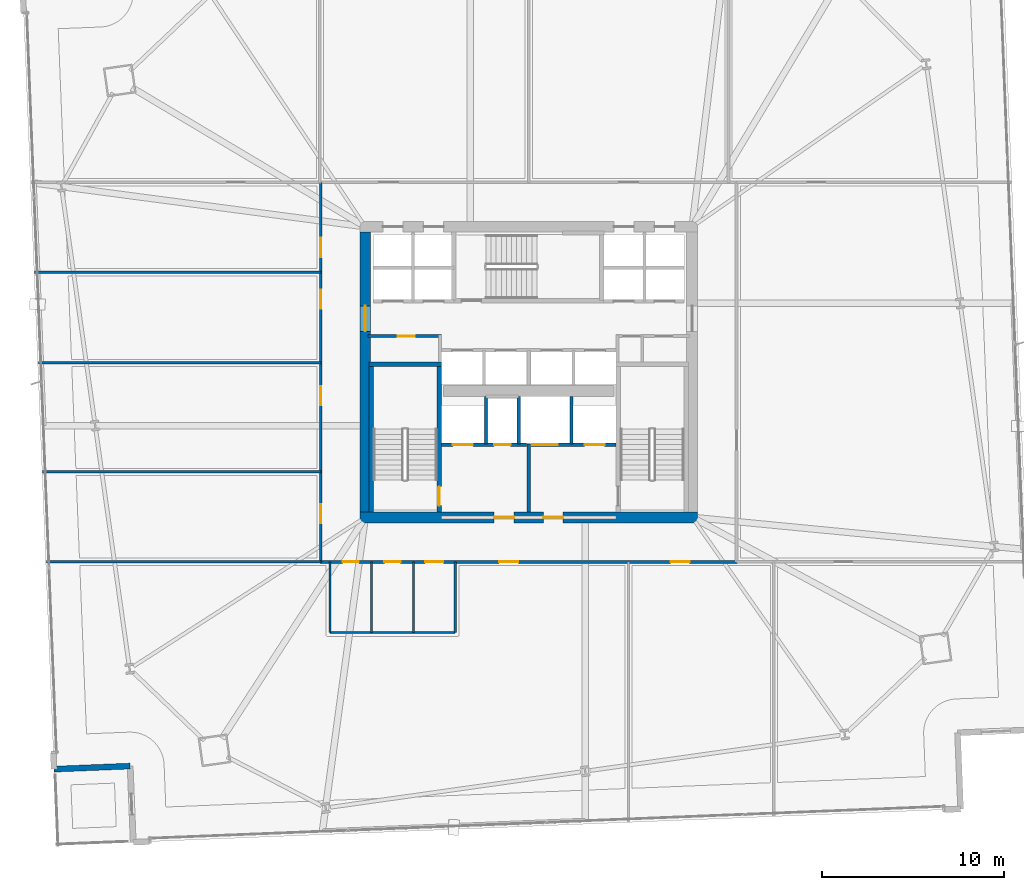
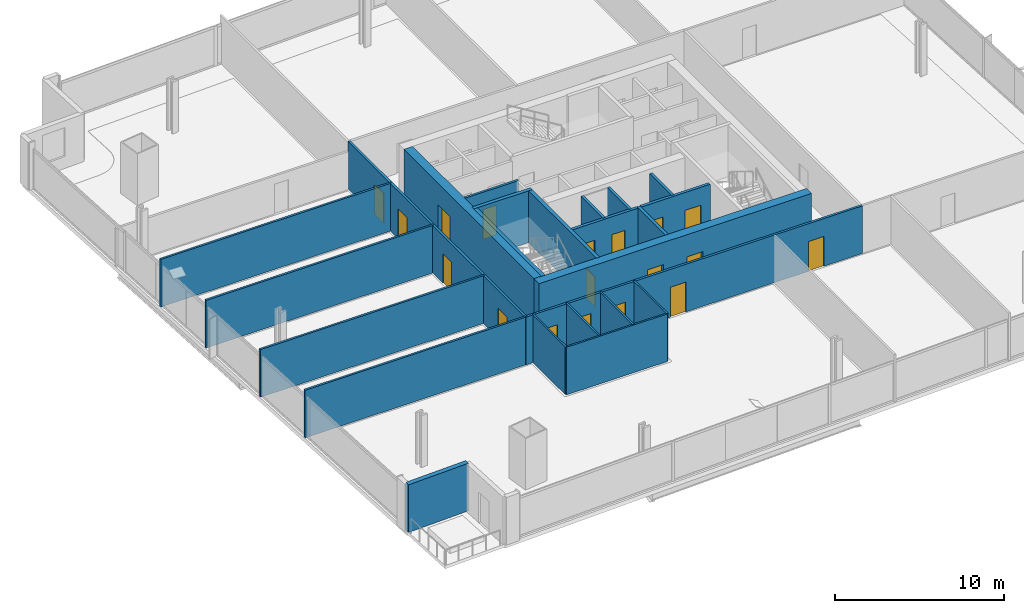
# One storey, part 25 of 32: 24 walls, 18 doors, 18 openings.
"""IFC4 building model written with IfcOpenShell, lengths in metres."""

from ifc_helpers import new_model, si_unit, direction, frame, frame_2d, origin, place, context, subcontext, project, spatial, rectangle, extrude, material, layer, layer_set, type_object, element, fill, save


model = new_model("IFC4")

# Units and contexts
model_context = context("Model", 3, precision=1e-05, world=origin(), true_north=direction((0.0, 1.0)))
body_context = subcontext(model_context, "Body", "Model", "MODEL_VIEW")
ifc_project = project(units=[si_unit("LENGTHUNIT", "METRE"), si_unit("AREAUNIT", "SQUARE_METRE"), si_unit("VOLUMEUNIT", "CUBIC_METRE"), si_unit("PLANEANGLEUNIT", "RADIAN"), si_unit("MASSUNIT", "GRAM", prefix="KILO")], contexts=[model_context])

# Site, building, storey
site_placement = place(None, origin())
site = spatial("IfcSite", under=ifc_project, at=site_placement, CompositionType="ELEMENT")
building_placement = place(site_placement, origin())
building = spatial("IfcBuilding", under=site, at=building_placement, Name="Haldenkirk Collegiate Tower", CompositionType="ELEMENT")
storey_placement = place(building_placement, frame((0.0, 0.0, 36.449951171875)))
storey = spatial("IfcBuildingStorey", under=building, at=storey_placement, Name="L07", CompositionType="ELEMENT", Elevation=36.449951171875)

# Wall, openings, doors
ifc_material_1 = material(Name="Concrete f'c 70 MPa", Category="concrete")
ifc_layer_1 = layer(ifc_material_1, 0.60009765625)
ifc_layer_set_1 = layer_set([ifc_layer_1], Name="Concrete f'c 70 MPa")
wall_type_1 = type_object("IfcWallType", Name="WL-CORE-600", PredefinedType="SHEAR", material=ifc_layer_set_1)
wall_1_placement = place(storey_placement, frame((26.699951171875, 18.0, 0.0), z_axis=(0.0, 0.0, 1.0), x_axis=(1.0, 0.0, 0.0)))
wall_1 = element("IfcWall", 1, at=wall_1_placement, inside=storey, type_object=wall_type_1, Name="L07 central core shear wall S", PredefinedType="SHEAR", context=body_context, shape_type="SweptSolid", body=[
    extrude(rectangle(XDim=18.60009765625, YDim=0.60009765625, at=frame_2d((9.300048828125, 0.0))), origin(), (0.0, 0.0, 1.0), 3.75),
])
opening_1_placement = place(wall_1_placement, frame((7.39990234375, 0.0, 0.0)))
opening_1 = element("IfcOpeningElement", 2, at=opening_1_placement, cuts=wall_1, Name="Opening D-02", PredefinedType="OPENING", context=body_context, shape_type="SweptSolid", body=[
    extrude(rectangle(XDim=1.10009765625, YDim=2.14990234375, at=frame_2d((0.550048828125, 1.074951171875))), frame((0.0, 0.31005859375, 0.0), z_axis=(0.0, -1.0, 0.0), x_axis=(1.0, 0.0, 0.0)), (0.0, 0.0, 1.0), 0.6201171875),
])
opening_2_placement = place(wall_1_placement, frame((10.10009765625, 0.0, 0.0)))
opening_2 = element("IfcOpeningElement", 3, at=opening_2_placement, cuts=wall_1, Name="Opening D-02", PredefinedType="OPENING", context=body_context, shape_type="SweptSolid", body=[
    extrude(rectangle(XDim=1.10009765625, YDim=2.14990234375, at=frame_2d((0.550048828125, 1.074951171875))), frame((0.0, 0.31005859375, 0.0), z_axis=(0.0, -1.0, 0.0), x_axis=(1.0, 0.0, 0.0)), (0.0, 0.0, 1.0), 0.6201171875),
])
ifc_material_2 = material(Name="Galvanized fire-rated hollow steel door", Category="steel")
ifc_layer_2 = layer(ifc_material_2, 0.06005859375)
ifc_layer_set_2 = layer_set([ifc_layer_2], Name="Galvanized fire-rated hollow steel door")
door_type_1 = type_object("IfcDoorType", Name="DR-STAIR-FD90-1100", OperationType="NOTDEFINED", PredefinedType="DOOR", material=ifc_layer_set_2)
door_1_placement = place(opening_1_placement, origin())
door_1 = element("IfcDoor", 4, at=door_1_placement, inside=storey, type_object=door_type_1, Name="L07 Firefighting Lobby 1 door", OperationType="SINGLE_SWING_LEFT", OverallHeight=2.14990234375, OverallWidth=1.10009765625, PredefinedType="DOOR", context=body_context, shape_type="SweptSolid", body=[
    extrude(rectangle(XDim=1.10009765625, YDim=2.14990234375, at=frame_2d((0.550048828125, 1.074951171875))), frame((0.0, 0.02490234375, 0.0), z_axis=(0.0, -1.0, 0.0), x_axis=(1.0, 0.0, 0.0)), (0.0, 0.0, 1.0), 0.050048828125),
])
fill(opening_1, door_1)
door_2_placement = place(opening_2_placement, origin())
door_2 = element("IfcDoor", 5, at=door_2_placement, inside=storey, type_object=door_type_1, Name="L07 Firefighting Lobby 2 door", OperationType="SINGLE_SWING_RIGHT", OverallHeight=2.14990234375, OverallWidth=1.10009765625, PredefinedType="DOOR", context=body_context, shape_type="SweptSolid", body=[
    extrude(rectangle(XDim=1.10009765625, YDim=2.14990234375, at=frame_2d((0.550048828125, 1.074951171875))), frame((0.0, 0.02490234375, 0.0), z_axis=(0.0, -1.0, 0.0), x_axis=(1.0, 0.0, 0.0)), (0.0, 0.0, 1.0), 0.050048828125),
])
fill(opening_2, door_2)

# Wall, opening, door
wall_2_placement = place(storey_placement, frame((27.0, 18.300048828125, 0.0), z_axis=(0.0, 0.0, 1.0), x_axis=(0.0, 1.0, 0.0)))
wall_2 = element("IfcWall", 6, at=wall_2_placement, inside=storey, type_object=wall_type_1, Name="L07 central core shear wall W", PredefinedType="SHEAR", context=body_context, shape_type="SweptSolid", body=[
    extrude(rectangle(XDim=15.39990234375, YDim=0.60009765625, at=frame_2d((7.699951171875, 0.0))), origin(), (0.0, 0.0, 1.0), 3.75),
])
opening_3_placement = place(wall_2_placement, frame((9.93994140625, 0.0, 0.0)))
opening_3 = element("IfcOpeningElement", 7, at=opening_3_placement, cuts=wall_2, Name="Opening D-03", PredefinedType="OPENING", context=body_context, shape_type="SweptSolid", body=[
    extrude(rectangle(XDim=1.39990234375, YDim=2.199951171875, at=frame_2d((0.699951171875, 1.10009765625))), frame((0.0, 0.31005859375, 0.0), z_axis=(0.0, -1.0, 0.0), x_axis=(1.0, 0.0, 0.0)), (0.0, 0.0, 1.0), 0.6201171875),
])
ifc_layer_3 = layer(ifc_material_2, 0.06005859375)
ifc_layer_set_3 = layer_set([ifc_layer_3], Name="Galvanized fire-rated hollow steel door")
door_type_2 = type_object("IfcDoorType", Name="DR-LOBBY-FD90-1400", OperationType="NOTDEFINED", PredefinedType="DOOR", material=ifc_layer_set_3)
door_3_placement = place(opening_3_placement, origin())
door_3 = element("IfcDoor", 8, at=door_3_placement, inside=storey, type_object=door_type_2, Name="L07 west lift lobby portal", OperationType="DOUBLE_DOOR_SINGLE_SWING", OverallHeight=2.199951171875, OverallWidth=1.39990234375, PredefinedType="DOOR", context=body_context, shape_type="SweptSolid", body=[
    extrude(rectangle(XDim=1.39990234375, YDim=2.199951171875, at=frame_2d((0.699951171875, 1.10009765625))), frame((0.0, 0.02490234375, 0.0), z_axis=(0.0, -1.0, 0.0), x_axis=(1.0, 0.0, 0.0)), (0.0, 0.0, 1.0), 0.050048828125),
])
fill(opening_3, door_3)

# Wall
ifc_material_3 = material(Name="Precast concrete f'c 40 MPa", Category="concrete")
ifc_layer_4 = layer(ifc_material_3, 0.320068359375)
ifc_layer_set_4 = layer_set([ifc_layer_4], Name="Precast concrete f'c 40 MPa")
wall_type_2 = type_object("IfcWallType", Name="WL-EXT-TWR-320", PredefinedType="STANDARD", material=ifc_layer_set_4)
wall_3_placement = place(storey_placement, frame((14.052978515625, 4.3017578125, 0.0), z_axis=(0.0, 0.0, 1.0), x_axis=(-0.999195284269, -0.040109648388, 0.0)))
element("IfcWall", 9, at=wall_3_placement, inside=storey, type_object=wall_type_2, Name="L07 bronze precast notch wall 11", PredefinedType="STANDARD", context=body_context, shape_type="SweptSolid", body=[
    extrude(rectangle(XDim=4.199951171875, YDim=0.320068359375, at=frame_2d((2.10009765625, 0.0))), origin(), (0.0, 0.0, 1.0), 3.43994140625),
])

# Wall, opening, door
ifc_material_4 = material(Name="Acoustic fire-rated gypsum partition", Category="concrete")
ifc_layer_5 = layer(ifc_material_4, 0.159912109375)
ifc_layer_set_5 = layer_set([ifc_layer_5], Name="Acoustic fire-rated gypsum partition")
wall_type_3 = type_object("IfcWallType", Name="WL-INT-CORR-160", PredefinedType="PARTITIONING", material=ifc_layer_set_5)
wall_4_placement = place(storey_placement, frame((27.14990234375, 27.97998046875, 0.0), z_axis=(0.0, 0.0, 1.0), x_axis=(1.0, 0.0, 0.0)))
wall_4 = element("IfcWall", 10, at=wall_4_placement, inside=storey, type_object=wall_type_3, Name="L07 interior partition IW-L07-VCSW-N", PredefinedType="PARTITIONING", context=body_context, shape_type="SweptSolid", body=[
    extrude(rectangle(XDim=4.050048828125, YDim=0.159912109375, at=frame_2d((2.02490234375, 0.0))), origin(), (0.0, 0.0, 1.0), 3.43994140625),
])
opening_4_placement = place(wall_4_placement, frame((1.625, 0.0, 0.0)))
opening_4 = element("IfcOpeningElement", 11, at=opening_4_placement, cuts=wall_4, Name="Opening D-10", PredefinedType="OPENING", context=body_context, shape_type="SweptSolid", body=[
    extrude(rectangle(XDim=0.949951171875, YDim=2.14990234375, at=frame_2d((0.47509765625, 1.074951171875))), frame((0.0, 0.08984375, 0.0), z_axis=(0.0, -1.0, 0.0), x_axis=(1.0, 0.0, 0.0)), (0.0, 0.0, 1.0), 0.179931640625),
])
ifc_material_5 = material(Name="Solid-core architectural oak fire door", Category="wood")
ifc_layer_6 = layer(ifc_material_5, 0.06005859375)
ifc_layer_set_6 = layer_set([ifc_layer_6], Name="Solid-core architectural oak fire door")
door_type_3 = type_object("IfcDoorType", Name="DR-INT-FD60-950", OperationType="NOTDEFINED", PredefinedType="DOOR", material=ifc_layer_set_6)
door_4_placement = place(opening_4_placement, origin())
door_4 = element("IfcDoor", 12, at=door_4_placement, inside=storey, type_object=door_type_3, Name="L07 core tea pantry door", OperationType="SINGLE_SWING_LEFT", OverallHeight=2.14990234375, OverallWidth=0.949951171875, PredefinedType="DOOR", context=body_context, shape_type="SweptSolid", body=[
    extrude(rectangle(XDim=0.949951171875, YDim=2.14990234375, at=frame_2d((0.47509765625, 1.074951171875))), frame((0.0, 0.02490234375, 0.0), z_axis=(0.0, -1.0, 0.0), x_axis=(1.0, 0.0, 0.0)), (0.0, 0.0, 1.0), 0.050048828125),
])
fill(opening_4, door_4)

# Wall, openings, doors
wall_5_placement = place(storey_placement, frame((24.5, 15.550048828125, 0.0), z_axis=(0.0, 0.0, 1.0), x_axis=(1.0, 0.0, 0.0)))
wall_5 = element("IfcWall", 13, at=wall_5_placement, inside=storey, type_object=wall_type_3, Name="L07 interior partition IW-L07-CS", PredefinedType="PARTITIONING", context=body_context, shape_type="SweptSolid", body=[
    extrude(rectangle(XDim=23.0, YDim=0.159912109375, at=frame_2d((11.5, 0.0))), origin(), (0.0, 0.0, 1.0), 3.43994140625),
])
opening_5_placement = place(wall_5_placement, frame((1.25, 0.0, 0.0)))
opening_5 = element("IfcOpeningElement", 14, at=opening_5_placement, cuts=wall_5, Name="Opening D-13", PredefinedType="OPENING", context=body_context, shape_type="SweptSolid", body=[
    extrude(rectangle(XDim=0.89990234375, YDim=2.14990234375, at=frame_2d((0.449951171875, 1.074951171875))), frame((0.0, 0.08984375, 0.0), z_axis=(0.0, -1.0, 0.0), x_axis=(1.0, 0.0, 0.0)), (0.0, 0.0, 1.0), 0.179931640625),
])
opening_6_placement = place(wall_5_placement, frame((3.550048828125, 0.0, 0.0)))
opening_6 = element("IfcOpeningElement", 15, at=opening_6_placement, cuts=wall_5, Name="Opening D-13", PredefinedType="OPENING", context=body_context, shape_type="SweptSolid", body=[
    extrude(rectangle(XDim=0.89990234375, YDim=2.14990234375, at=frame_2d((0.449951171875, 1.074951171875))), frame((0.0, 0.08984375, 0.0), z_axis=(0.0, -1.0, 0.0), x_axis=(1.0, 0.0, 0.0)), (0.0, 0.0, 1.0), 0.179931640625),
])
opening_7_placement = place(wall_5_placement, frame((5.800048828125, 0.0, 0.0)))
opening_7 = element("IfcOpeningElement", 16, at=opening_7_placement, cuts=wall_5, Name="Opening D-14", PredefinedType="OPENING", context=body_context, shape_type="SweptSolid", body=[
    extrude(rectangle(XDim=1.0, YDim=2.14990234375, at=frame_2d((0.5, 1.074951171875))), frame((0.0, 0.08984375, 0.0), z_axis=(0.0, -1.0, 0.0), x_axis=(1.0, 0.0, 0.0)), (0.0, 0.0, 1.0), 0.179931640625),
])
opening_8_placement = place(wall_5_placement, frame((9.875, 0.0, 0.0)))
opening_8 = element("IfcOpeningElement", 17, at=opening_8_placement, cuts=wall_5, Name="Opening D-09", PredefinedType="OPENING", context=body_context, shape_type="SweptSolid", body=[
    extrude(rectangle(XDim=1.050048828125, YDim=2.14990234375, at=frame_2d((0.52490234375, 1.074951171875))), frame((0.0, 0.08984375, 0.0), z_axis=(0.0, -1.0, 0.0), x_axis=(1.0, 0.0, 0.0)), (0.0, 0.0, 1.0), 0.179931640625),
])
opening_9_placement = place(wall_5_placement, frame((19.30908203125, 0.0, 0.0)))
opening_9 = element("IfcOpeningElement", 18, at=opening_9_placement, cuts=wall_5, Name="Opening D-09", PredefinedType="OPENING", context=body_context, shape_type="SweptSolid", body=[
    extrude(rectangle(XDim=1.050048828125, YDim=2.14990234375, at=frame_2d((0.52490234375, 1.074951171875))), frame((0.0, 0.08984375, 0.0), z_axis=(0.0, -1.0, 0.0), x_axis=(1.0, 0.0, 0.0)), (0.0, 0.0, 1.0), 0.179931640625),
])
ifc_layer_7 = layer(ifc_material_5, 0.06005859375)
ifc_layer_set_7 = layer_set([ifc_layer_7], Name="Solid-core architectural oak fire door")
door_type_4 = type_object("IfcDoorType", Name="DR-INT-ACC-1000", OperationType="NOTDEFINED", PredefinedType="DOOR", material=ifc_layer_set_7)
door_5_placement = place(opening_7_placement, origin())
door_5 = element("IfcDoor", 19, at=door_5_placement, inside=storey, type_object=door_type_4, Name="L07 Accessible WC door", OperationType="SINGLE_SWING_RIGHT", OverallHeight=2.14990234375, OverallWidth=1.0, PredefinedType="DOOR", context=body_context, shape_type="SweptSolid", body=[
    extrude(rectangle(XDim=1.0, YDim=2.14990234375, at=frame_2d((0.5, 1.074951171875))), frame((0.0, 0.02490234375, 0.0), z_axis=(0.0, -1.0, 0.0), x_axis=(1.0, 0.0, 0.0)), (0.0, 0.0, 1.0), 0.050048828125),
])
fill(opening_7, door_5)
ifc_layer_8 = layer(ifc_material_5, 0.06005859375)
ifc_layer_set_8 = layer_set([ifc_layer_8], Name="Solid-core architectural oak fire door")
door_type_5 = type_object("IfcDoorType", Name="DR-INT-FD60-1050", OperationType="NOTDEFINED", PredefinedType="DOOR", material=ifc_layer_set_8)
door_6_placement = place(opening_8_placement, origin())
door_6 = element("IfcDoor", 20, at=door_6_placement, inside=storey, type_object=door_type_5, Name="L07 Graduate Seminar Room 1 door", OperationType="SINGLE_SWING_LEFT", OverallHeight=2.14990234375, OverallWidth=1.050048828125, PredefinedType="DOOR", context=body_context, shape_type="SweptSolid", body=[
    extrude(rectangle(XDim=1.050048828125, YDim=2.14990234375, at=frame_2d((0.52490234375, 1.074951171875))), frame((0.0, 0.02490234375, 0.0), z_axis=(0.0, -1.0, 0.0), x_axis=(1.0, 0.0, 0.0)), (0.0, 0.0, 1.0), 0.050048828125),
])
fill(opening_8, door_6)
door_7_placement = place(opening_9_placement, origin())
door_7 = element("IfcDoor", 21, at=door_7_placement, inside=storey, type_object=door_type_5, Name="L07 Colloquium Conference Room 2 door", OperationType="SINGLE_SWING_RIGHT", OverallHeight=2.14990234375, OverallWidth=1.050048828125, PredefinedType="DOOR", context=body_context, shape_type="SweptSolid", body=[
    extrude(rectangle(XDim=1.050048828125, YDim=2.14990234375, at=frame_2d((0.52490234375, 1.074951171875))), frame((0.0, 0.02490234375, 0.0), z_axis=(0.0, -1.0, 0.0), x_axis=(1.0, 0.0, 0.0)), (0.0, 0.0, 1.0), 0.050048828125),
])
fill(opening_9, door_7)
ifc_layer_9 = layer(ifc_material_5, 0.06005859375)
ifc_layer_set_9 = layer_set([ifc_layer_9], Name="Solid-core architectural oak fire door")
door_type_6 = type_object("IfcDoorType", Name="DR-INT-STD-900", OperationType="NOTDEFINED", PredefinedType="DOOR", material=ifc_layer_set_9)
door_8_placement = place(opening_5_placement, origin())
door_8 = element("IfcDoor", 22, at=door_8_placement, inside=storey, type_object=door_type_6, Name="L07 Male WC door", OperationType="SINGLE_SWING_RIGHT", OverallHeight=2.14990234375, OverallWidth=0.89990234375, PredefinedType="DOOR", context=body_context, shape_type="SweptSolid", body=[
    extrude(rectangle(XDim=0.89990234375, YDim=2.14990234375, at=frame_2d((0.449951171875, 1.074951171875))), frame((0.0, 0.02490234375, 0.0), z_axis=(0.0, -1.0, 0.0), x_axis=(1.0, 0.0, 0.0)), (0.0, 0.0, 1.0), 0.050048828125),
])
fill(opening_5, door_8)
door_9_placement = place(opening_6_placement, origin())
door_9 = element("IfcDoor", 23, at=door_9_placement, inside=storey, type_object=door_type_6, Name="L07 Female WC door", OperationType="SINGLE_SWING_LEFT", OverallHeight=2.14990234375, OverallWidth=0.89990234375, PredefinedType="DOOR", context=body_context, shape_type="SweptSolid", body=[
    extrude(rectangle(XDim=0.89990234375, YDim=2.14990234375, at=frame_2d((0.449951171875, 1.074951171875))), frame((0.0, 0.02490234375, 0.0), z_axis=(0.0, -1.0, 0.0), x_axis=(1.0, 0.0, 0.0)), (0.0, 0.0, 1.0), 0.050048828125),
])
fill(opening_6, door_9)

wall_6_placement = place(storey_placement, frame((24.550048828125, 15.550048828125, 0.0), z_axis=(0.0, 0.0, 1.0), x_axis=(0.0, 1.0, 0.0)))
wall_6 = element("IfcWall", 24, at=wall_6_placement, inside=storey, type_object=wall_type_3, Name="L07 interior partition IW-L07-CW", PredefinedType="PARTITIONING", context=body_context, shape_type="SweptSolid", body=[
    extrude(rectangle(XDim=20.89990234375, YDim=0.159912109375, at=frame_2d((10.449951171875, 0.0))), origin(), (0.0, 0.0, 1.0), 3.43994140625),
])
opening_10_placement = place(wall_6_placement, frame((2.115966796875, 0.0, 0.0)))
opening_10 = element("IfcOpeningElement", 25, at=opening_10_placement, cuts=wall_6, Name="Opening D-09", PredefinedType="OPENING", context=body_context, shape_type="SweptSolid", body=[
    extrude(rectangle(XDim=1.050048828125, YDim=2.14990234375, at=frame_2d((0.52490234375, 1.074951171875))), frame((0.0, 0.08984375, 0.0), z_axis=(0.0, -1.0, 0.0), x_axis=(1.0, 0.0, 0.0)), (0.0, 0.0, 1.0), 0.179931640625),
])
opening_11_placement = place(wall_6_placement, frame((8.625, 0.0, 0.0)))
opening_11 = element("IfcOpeningElement", 26, at=opening_11_placement, cuts=wall_6, Name="Opening D-09", PredefinedType="OPENING", context=body_context, shape_type="SweptSolid", body=[
    extrude(rectangle(XDim=1.050048828125, YDim=2.14990234375, at=frame_2d((0.52490234375, 1.074951171875))), frame((0.0, 0.08984375, 0.0), z_axis=(0.0, -1.0, 0.0), x_axis=(1.0, 0.0, 0.0)), (0.0, 0.0, 1.0), 0.179931640625),
])
opening_12_placement = place(wall_6_placement, frame((13.945068359375, 0.0, 0.0)))
opening_12 = element("IfcOpeningElement", 27, at=opening_12_placement, cuts=wall_6, Name="Opening D-09", PredefinedType="OPENING", context=body_context, shape_type="SweptSolid", body=[
    extrude(rectangle(XDim=1.050048828125, YDim=2.14990234375, at=frame_2d((0.52490234375, 1.074951171875))), frame((0.0, 0.08984375, 0.0), z_axis=(0.0, -1.0, 0.0), x_axis=(1.0, 0.0, 0.0)), (0.0, 0.0, 1.0), 0.179931640625),
])
opening_13_placement = place(wall_6_placement, frame((16.782958984375, 0.0, 0.0)))
opening_13 = element("IfcOpeningElement", 28, at=opening_13_placement, cuts=wall_6, Name="Opening D-09", PredefinedType="OPENING", context=body_context, shape_type="SweptSolid", body=[
    extrude(rectangle(XDim=1.050048828125, YDim=2.14990234375, at=frame_2d((0.52490234375, 1.074951171875))), frame((0.0, 0.08984375, 0.0), z_axis=(0.0, -1.0, 0.0), x_axis=(1.0, 0.0, 0.0)), (0.0, 0.0, 1.0), 0.179931640625),
])
door_10_placement = place(opening_10_placement, origin())
door_10 = element("IfcDoor", 29, at=door_10_placement, inside=storey, type_object=door_type_5, Name="L07 Colloquium Conference Room 8 door", OperationType="SINGLE_SWING_RIGHT", OverallHeight=2.14990234375, OverallWidth=1.050048828125, PredefinedType="DOOR", context=body_context, shape_type="SweptSolid", body=[
    extrude(rectangle(XDim=1.050048828125, YDim=2.14990234375, at=frame_2d((0.52490234375, 1.074951171875))), frame((0.0, 0.02490234375, 0.0), z_axis=(0.0, -1.0, 0.0), x_axis=(1.0, 0.0, 0.0)), (0.0, 0.0, 1.0), 0.050048828125),
])
fill(opening_10, door_10)
door_11_placement = place(opening_11_placement, origin())
door_11 = element("IfcDoor", 30, at=door_11_placement, inside=storey, type_object=door_type_5, Name="L07 Tutorial Seminar Room 9 door", OperationType="SINGLE_SWING_LEFT", OverallHeight=2.14990234375, OverallWidth=1.050048828125, PredefinedType="DOOR", context=body_context, shape_type="SweptSolid", body=[
    extrude(rectangle(XDim=1.050048828125, YDim=2.14990234375, at=frame_2d((0.52490234375, 1.074951171875))), frame((0.0, 0.02490234375, 0.0), z_axis=(0.0, -1.0, 0.0), x_axis=(1.0, 0.0, 0.0)), (0.0, 0.0, 1.0), 0.050048828125),
])
fill(opening_11, door_11)
door_12_placement = place(opening_12_placement, origin())
door_12 = element("IfcDoor", 31, at=door_12_placement, inside=storey, type_object=door_type_5, Name="L07 Breakout Conference Room 10 door", OperationType="SINGLE_SWING_RIGHT", OverallHeight=2.14990234375, OverallWidth=1.050048828125, PredefinedType="DOOR", context=body_context, shape_type="SweptSolid", body=[
    extrude(rectangle(XDim=1.050048828125, YDim=2.14990234375, at=frame_2d((0.52490234375, 1.074951171875))), frame((0.0, 0.02490234375, 0.0), z_axis=(0.0, -1.0, 0.0), x_axis=(1.0, 0.0, 0.0)), (0.0, 0.0, 1.0), 0.050048828125),
])
fill(opening_12, door_12)
door_13_placement = place(opening_13_placement, origin())
door_13 = element("IfcDoor", 32, at=door_13_placement, inside=storey, type_object=door_type_5, Name="L07 Case Method Seminar Room 11 door", OperationType="SINGLE_SWING_LEFT", OverallHeight=2.14990234375, OverallWidth=1.050048828125, PredefinedType="DOOR", context=body_context, shape_type="SweptSolid", body=[
    extrude(rectangle(XDim=1.050048828125, YDim=2.14990234375, at=frame_2d((0.52490234375, 1.074951171875))), frame((0.0, 0.02490234375, 0.0), z_axis=(0.0, -1.0, 0.0), x_axis=(1.0, 0.0, 0.0)), (0.0, 0.0, 1.0), 0.050048828125),
])
fill(opening_13, door_13)

# Walls
ifc_layer_10 = layer(ifc_material_4, 0.139892578125)
ifc_layer_set_10 = layer_set([ifc_layer_10], Name="Acoustic fire-rated gypsum partition")
wall_type_4 = type_object("IfcWallType", Name="WL-INT-DIV-140", PredefinedType="PARTITIONING", material=ifc_layer_set_10)
wall_7_placement = place(storey_placement, frame((9.43798828125, 15.550048828125, 0.0), z_axis=(0.0, 0.0, 1.0), x_axis=(1.0, 0.0, 0.0)))
element("IfcWall", 33, at=wall_7_placement, inside=storey, type_object=wall_type_4, Name="L07 interior partition IW-L07-BWS", PredefinedType="PARTITIONING", context=body_context, shape_type="SweptSolid", body=[
    extrude(rectangle(XDim=15.112060546875, YDim=0.139892578125, at=frame_2d((7.55615234375, 0.0))), origin(), (0.0, 0.0, 1.0), 3.43994140625),
])
wall_8_placement = place(storey_placement, frame((9.2392578125, 20.5, 0.0), z_axis=(0.0, 0.0, 1.0), x_axis=(1.0, 0.0, 0.0)))
element("IfcWall", 34, at=wall_8_placement, inside=storey, type_object=wall_type_4, Name="L07 interior partition IW-L07-RW1", PredefinedType="PARTITIONING", context=body_context, shape_type="SweptSolid", body=[
    extrude(rectangle(XDim=15.310791015625, YDim=0.139892578125, at=frame_2d((7.6552734375, 0.0))), origin(), (0.0, 0.0, 1.0), 3.43994140625),
])
wall_9_placement = place(storey_placement, frame((8.998291015625, 26.5, 0.0), z_axis=(0.0, 0.0, 1.0), x_axis=(1.0, 0.0, 0.0)))
element("IfcWall", 35, at=wall_9_placement, inside=storey, type_object=wall_type_4, Name="L07 interior partition IW-L07-RW2", PredefinedType="PARTITIONING", context=body_context, shape_type="SweptSolid", body=[
    extrude(rectangle(XDim=15.5517578125, YDim=0.139892578125, at=frame_2d((7.77587890625, 0.0))), origin(), (0.0, 0.0, 1.0), 3.43994140625),
])
wall_10_placement = place(storey_placement, frame((8.79736328125, 31.5, 0.0), z_axis=(0.0, 0.0, 1.0), x_axis=(1.0, 0.0, 0.0)))
element("IfcWall", 36, at=wall_10_placement, inside=storey, type_object=wall_type_4, Name="L07 interior partition IW-L07-RW3", PredefinedType="PARTITIONING", context=body_context, shape_type="SweptSolid", body=[
    extrude(rectangle(XDim=15.752685546875, YDim=0.139892578125, at=frame_2d((7.87646484375, 0.0))), origin(), (0.0, 0.0, 1.0), 3.43994140625),
])
ifc_material_6 = material(Name="Fire-rated gypsum shaftboard assembly", Category="concrete")
ifc_layer_11 = layer(ifc_material_6, 0.179931640625)
ifc_layer_set_11 = layer_set([ifc_layer_11], Name="Fire-rated gypsum shaftboard assembly")
wall_type_5 = type_object("IfcWallType", Name="WL-INT-SHAFT-180", PredefinedType="PARTITIONING", material=ifc_layer_set_11)
for number, where, z_axis, x_axis, name in (
    (37, (33.64990234375, 22.050048828125, 0.0), (0.0, 0.0, 1.0), (0.0, 1.0, 0.0), "L07 interior partition IW-L07-FL1E"),
    (38, (35.449951171875, 22.050048828125, 0.0), (0.0, 0.0, 1.0), (0.0, 1.0, 0.0), "L07 interior partition IW-L07-GL1W"),
    (39, (38.35009765625, 22.050048828125, 0.0), (0.0, 0.0, 1.0), (0.0, 1.0, 0.0), "L07 interior partition IW-L07-GL1E"),
):
    element("IfcWall", number, at=place(storey_placement, frame(where, z_axis=z_axis, x_axis=x_axis)), inside=storey, type_object=wall_type_5, Name=name, PredefinedType="PARTITIONING", context=body_context, shape_type="SweptSolid", body=[
        extrude(rectangle(XDim=2.599853515625, YDim=0.179931640625, at=frame_2d((1.2998046875, 0.0))), origin(), (0.0, 0.0, 1.0), 3.43994140625),
    ])
ifc_layer_12 = layer(ifc_material_6, 0.199951171875)
ifc_layer_set_12 = layer_set([ifc_layer_12], Name="Fire-rated gypsum shaftboard assembly")
wall_type_6 = type_object("IfcWallType", Name="WL-INT-SHAFT-200", PredefinedType="PARTITIONING", material=ifc_layer_set_12)
wall_11_placement = place(storey_placement, frame((36.0, 18.280029296875, 0.0), z_axis=(0.0, 0.0, 1.0), x_axis=(0.0, 1.0, 0.0)))
element("IfcWall", 40, at=wall_11_placement, inside=storey, type_object=wall_type_6, Name="L07 interior partition IW-L07-FFLM", PredefinedType="PARTITIONING", context=body_context, shape_type="SweptSolid", body=[
    extrude(rectangle(XDim=3.77001953125, YDim=0.199951171875, at=frame_2d((1.885009765625, 0.0))), origin(), (0.0, 0.0, 1.0), 3.43994140625),
])

# Wall, openings, doors
wall_12_placement = place(storey_placement, frame((31.18994140625, 22.0, 0.0), z_axis=(0.0, 0.0, 1.0), x_axis=(1.0, 0.0, 0.0)))
wall_12 = element("IfcWall", 41, at=wall_12_placement, inside=storey, type_object=wall_type_6, Name="L07 interior partition IW-L07-FFL1N", PredefinedType="PARTITIONING", context=body_context, shape_type="SweptSolid", body=[
    extrude(rectangle(XDim=4.68994140625, YDim=0.199951171875, at=frame_2d((2.344970703125, 0.0))), origin(), (0.0, 0.0, 1.0), 3.43994140625),
])
opening_14_placement = place(wall_12_placement, frame((2.909912109375, 0.0, 0.0)))
opening_14 = element("IfcOpeningElement", 42, at=opening_14_placement, cuts=wall_12, Name="Opening D-06", PredefinedType="OPENING", context=body_context, shape_type="SweptSolid", body=[
    extrude(rectangle(XDim=0.89990234375, YDim=2.14990234375, at=frame_2d((0.449951171875, 1.074951171875))), frame((0.0, 0.10986328125, 0.0), z_axis=(0.0, -1.0, 0.0), x_axis=(1.0, 0.0, 0.0)), (0.0, 0.0, 1.0), 0.219970703125),
])
opening_15_placement = place(wall_12_placement, frame((0.635009765625, 0.0, 0.0)))
opening_15 = element("IfcOpeningElement", 43, at=opening_15_placement, cuts=wall_12, Name="Opening LD-12", PredefinedType="OPENING", context=body_context, shape_type="SweptSolid", body=[
    extrude(rectangle(XDim=1.10009765625, YDim=2.14990234375, at=frame_2d((0.550048828125, 1.074951171875))), frame((0.0, 0.10986328125, 0.0), z_axis=(0.0, -1.0, 0.0), x_axis=(1.0, 0.0, 0.0)), (0.0, 0.0, 1.0), 0.219970703125),
])
ifc_layer_13 = layer(ifc_material_2, 0.06005859375)
ifc_layer_set_13 = layer_set([ifc_layer_13], Name="Galvanized fire-rated hollow steel door")
door_type_7 = type_object("IfcDoorType", Name="DR-INT-FD90-900", OperationType="NOTDEFINED", PredefinedType="DOOR", material=ifc_layer_set_13)
door_14_placement = place(opening_14_placement, origin())
door_14 = element("IfcDoor", 44, at=door_14_placement, inside=storey, type_object=door_type_7, Name="L07 electrical riser door", OperationType="SINGLE_SWING_LEFT", OverallHeight=2.14990234375, OverallWidth=0.89990234375, PredefinedType="DOOR", context=body_context, shape_type="SweptSolid", body=[
    extrude(rectangle(XDim=0.89990234375, YDim=2.14990234375, at=frame_2d((0.449951171875, 1.074951171875))), frame((0.0, 0.02490234375, 0.0), z_axis=(0.0, -1.0, 0.0), x_axis=(1.0, 0.0, 0.0)), (0.0, 0.0, 1.0), 0.050048828125),
])
fill(opening_14, door_14)
ifc_material_7 = material(Name="Brushed architectural stainless steel", Category="steel")
ifc_layer_14 = layer(ifc_material_7, 0.06005859375)
ifc_layer_set_14 = layer_set([ifc_layer_14], Name="Brushed architectural stainless steel")
door_type_8 = type_object("IfcDoorType", Name="LD-FIRE-1100", OperationType="NOTDEFINED", PredefinedType="DOOR", material=ifc_layer_set_14)
door_15_placement = place(opening_15_placement, origin())
door_15 = element("IfcDoor", 45, at=door_15_placement, inside=storey, type_object=door_type_8, Name="L07 Elevator FL1 sliding landing door", OperationType="SLIDING_TO_LEFT", OverallHeight=2.14990234375, OverallWidth=1.10009765625, PredefinedType="DOOR", context=body_context, shape_type="SweptSolid", body=[
    extrude(rectangle(XDim=1.10009765625, YDim=2.14990234375, at=frame_2d((0.550048828125, 1.074951171875))), frame((0.0, 0.02490234375, 0.0), z_axis=(0.0, -1.0, 0.0), x_axis=(1.0, 0.0, 0.0)), (0.0, 0.0, 1.0), 0.050048828125),
])
fill(opening_15, door_15)

wall_13_placement = place(storey_placement, frame((36.1201171875, 22.0, 0.0), z_axis=(0.0, 0.0, 1.0), x_axis=(1.0, 0.0, 0.0)))
wall_13 = element("IfcWall", 46, at=wall_13_placement, inside=storey, type_object=wall_type_6, Name="L07 interior partition IW-L07-FFL2N", PredefinedType="PARTITIONING", context=body_context, shape_type="SweptSolid", body=[
    extrude(rectangle(XDim=4.68994140625, YDim=0.199951171875, at=frame_2d((2.344970703125, 0.0))), origin(), (0.0, 0.0, 1.0), 3.43994140625),
])
opening_16_placement = place(wall_13_placement, frame((2.955078125, 0.0, 0.0)))
opening_16 = element("IfcOpeningElement", 47, at=opening_16_placement, cuts=wall_13, Name="Opening LD-12", PredefinedType="OPENING", context=body_context, shape_type="SweptSolid", body=[
    extrude(rectangle(XDim=1.10009765625, YDim=2.14990234375, at=frame_2d((0.550048828125, 1.074951171875))), frame((0.0, 0.10986328125, 0.0), z_axis=(0.0, -1.0, 0.0), x_axis=(1.0, 0.0, 0.0)), (0.0, 0.0, 1.0), 0.219970703125),
])
opening_17_placement = place(wall_13_placement, frame((0.080078125, 0.0, 0.0)))
opening_17 = element("IfcOpeningElement", 48, at=opening_17_placement, cuts=wall_13, Name="Opening LD-13", PredefinedType="OPENING", context=body_context, shape_type="SweptSolid", body=[
    extrude(rectangle(XDim=1.39990234375, YDim=2.199951171875, at=frame_2d((0.699951171875, 1.10009765625))), frame((0.0, 0.10986328125, 0.0), z_axis=(0.0, -1.0, 0.0), x_axis=(1.0, 0.0, 0.0)), (0.0, 0.0, 1.0), 0.219970703125),
])
door_16_placement = place(opening_16_placement, origin())
door_16 = element("IfcDoor", 49, at=door_16_placement, inside=storey, type_object=door_type_8, Name="L07 Elevator FL2 sliding landing door", OperationType="SLIDING_TO_LEFT", OverallHeight=2.14990234375, OverallWidth=1.10009765625, PredefinedType="DOOR", context=body_context, shape_type="SweptSolid", body=[
    extrude(rectangle(XDim=1.10009765625, YDim=2.14990234375, at=frame_2d((0.550048828125, 1.074951171875))), frame((0.0, 0.02490234375, 0.0), z_axis=(0.0, -1.0, 0.0), x_axis=(1.0, 0.0, 0.0)), (0.0, 0.0, 1.0), 0.050048828125),
])
fill(opening_16, door_16)
ifc_layer_15 = layer(ifc_material_7, 0.06005859375)
ifc_layer_set_15 = layer_set([ifc_layer_15], Name="Brushed architectural stainless steel")
door_type_9 = type_object("IfcDoorType", Name="LD-GOODS-1400", OperationType="NOTDEFINED", PredefinedType="DOOR", material=ifc_layer_set_15)
door_17_placement = place(opening_17_placement, origin())
door_17 = element("IfcDoor", 50, at=door_17_placement, inside=storey, type_object=door_type_9, Name="L07 Elevator GL1 sliding landing door", OperationType="SLIDING_TO_LEFT", OverallHeight=2.199951171875, OverallWidth=1.39990234375, PredefinedType="DOOR", context=body_context, shape_type="SweptSolid", body=[
    extrude(rectangle(XDim=1.39990234375, YDim=2.199951171875, at=frame_2d((0.699951171875, 1.10009765625))), frame((0.0, 0.02490234375, 0.0), z_axis=(0.0, -1.0, 0.0), x_axis=(1.0, 0.0, 0.0)), (0.0, 0.0, 1.0), 0.050048828125),
])
fill(opening_17, door_17)

# Walls
ifc_layer_16 = layer(ifc_material_4, 0.1201171875)
ifc_layer_set_16 = layer_set([ifc_layer_16], Name="Acoustic fire-rated gypsum partition")
wall_type_7 = type_object("IfcWallType", Name="WL-INT-WET-120", PredefinedType="PARTITIONING", material=ifc_layer_set_16)
for number, where, z_axis, x_axis, name in (
    (51, (25.050048828125, 11.64990234375, 0.0), (0.0, 0.0, 1.0), (0.0, 1.0, 0.0), "L07 interior partition IW-L07-WCW"),
    (52, (27.35009765625, 11.64990234375, 0.0), (0.0, 0.0, 1.0), (0.0, 1.0, 0.0), "L07 interior partition IW-L07-WC1"),
    (53, (29.64990234375, 11.64990234375, 0.0), (0.0, 0.0, 1.0), (0.0, 1.0, 0.0), "L07 interior partition IW-L07-WC2"),
    (54, (31.949951171875, 11.64990234375, 0.0), (0.0, 0.0, 1.0), (0.0, 1.0, 0.0), "L07 interior partition IW-L07-WCE"),
):
    element("IfcWall", number, at=place(storey_placement, frame(where, z_axis=z_axis, x_axis=x_axis)), inside=storey, type_object=wall_type_7, Name=name, PredefinedType="PARTITIONING", context=body_context, shape_type="SweptSolid", body=[
        extrude(rectangle(XDim=3.900146484375, YDim=0.1201171875, at=frame_2d((1.9501953125, 0.0))), origin(), (0.0, 0.0, 1.0), 3.43994140625),
    ])
wall_14_placement = place(storey_placement, frame((25.050048828125, 11.64990234375, 0.0), z_axis=(0.0, 0.0, 1.0), x_axis=(1.0, 0.0, 0.0)))
element("IfcWall", 55, at=wall_14_placement, inside=storey, type_object=wall_type_7, Name="L07 interior partition IW-L07-WCB", PredefinedType="PARTITIONING", context=body_context, shape_type="SweptSolid", body=[
    extrude(rectangle(XDim=6.89990234375, YDim=0.1201171875, at=frame_2d((3.449951171875, 0.0))), origin(), (0.0, 0.0, 1.0), 3.43994140625),
])

# Wall, opening, door
ifc_material_8 = material(Name="Concrete f'c 55 MPa", Category="concrete")
ifc_layer_17 = layer(ifc_material_8, 0.239990234375)
ifc_layer_set_17 = layer_set([ifc_layer_17], Name="Concrete f'c 55 MPa")
wall_type_8 = type_object("IfcWallType", Name="WL-SHAFT-240", PredefinedType="SHEAR", material=ifc_layer_set_17)
wall_15_placement = place(storey_placement, frame((31.070068359375, 18.280029296875, 0.0), z_axis=(0.0, 0.0, 1.0), x_axis=(0.0, 1.0, 0.0)))
wall_15 = element("IfcWall", 56, at=wall_15_placement, inside=storey, type_object=wall_type_8, Name="L07 stair shaft shear wall SW-L07-ST1E", PredefinedType="SHEAR", context=body_context, shape_type="SweptSolid", body=[
    extrude(rectangle(XDim=8.260009765625, YDim=0.239990234375, at=frame_2d((4.1298828125, 0.0))), origin(), (0.0, 0.0, 1.0), 3.75),
])
opening_18_placement = place(wall_15_placement, frame((0.364990234375, 0.0, 0.0)))
opening_18 = element("IfcOpeningElement", 57, at=opening_18_placement, cuts=wall_15, Name="Opening D-01", PredefinedType="OPENING", context=body_context, shape_type="SweptSolid", body=[
    extrude(rectangle(XDim=1.050048828125, YDim=2.14990234375, at=frame_2d((0.52490234375, 1.074951171875))), frame((0.0, 0.1298828125, 0.0), z_axis=(0.0, -1.0, 0.0), x_axis=(1.0, 0.0, 0.0)), (0.0, 0.0, 1.0), 0.260009765625),
])
ifc_layer_18 = layer(ifc_material_2, 0.06005859375)
ifc_layer_set_18 = layer_set([ifc_layer_18], Name="Galvanized fire-rated hollow steel door")
door_type_10 = type_object("IfcDoorType", Name="DR-STAIR-FD90-1050", OperationType="NOTDEFINED", PredefinedType="DOOR", material=ifc_layer_set_18)
door_18_placement = place(opening_18_placement, origin())
door_18 = element("IfcDoor", 58, at=door_18_placement, inside=storey, type_object=door_type_10, Name="L07 Stair 1 door", OperationType="SINGLE_SWING_LEFT", OverallHeight=2.14990234375, OverallWidth=1.050048828125, PredefinedType="DOOR", context=body_context, shape_type="SweptSolid", body=[
    extrude(rectangle(XDim=1.050048828125, YDim=2.14990234375, at=frame_2d((0.52490234375, 1.074951171875))), frame((0.0, 0.02490234375, 0.0), z_axis=(0.0, -1.0, 0.0), x_axis=(1.0, 0.0, 0.0)), (0.0, 0.0, 1.0), 0.050048828125),
])
fill(opening_18, door_18)

# Walls
wall_16_placement = place(storey_placement, frame((27.2099609375, 26.419921875, 0.0), z_axis=(0.0, 0.0, 1.0), x_axis=(1.0, 0.0, 0.0)))
element("IfcWall", 59, at=wall_16_placement, inside=storey, type_object=wall_type_8, Name="L07 stair shaft shear wall SW-L07-ST1N", PredefinedType="SHEAR", context=body_context, shape_type="SweptSolid", body=[
    extrude(rectangle(XDim=3.97998046875, YDim=0.239990234375, at=frame_2d((1.989990234375, 0.0))), origin(), (0.0, 0.0, 1.0), 3.75),
])
wall_17_placement = place(storey_placement, frame((27.330078125, 18.280029296875, 0.0), z_axis=(0.0, 0.0, 1.0), x_axis=(0.0, 1.0, 0.0)))
element("IfcWall", 60, at=wall_17_placement, inside=storey, type_object=wall_type_8, Name="L07 stair shaft shear wall SW-L07-ST1W", PredefinedType="SHEAR", context=body_context, shape_type="SweptSolid", body=[
    extrude(rectangle(XDim=8.260009765625, YDim=0.239990234375, at=frame_2d((4.1298828125, 0.0))), origin(), (0.0, 0.0, 1.0), 3.75),
])

save(model, "model.ifc")
